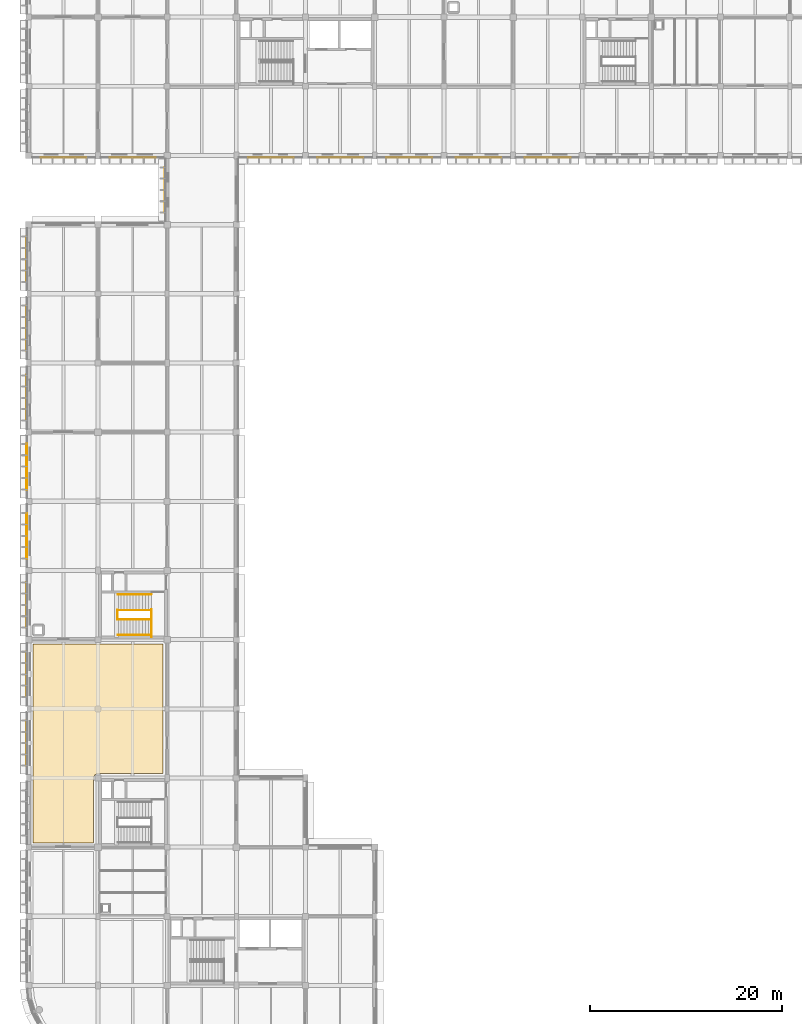
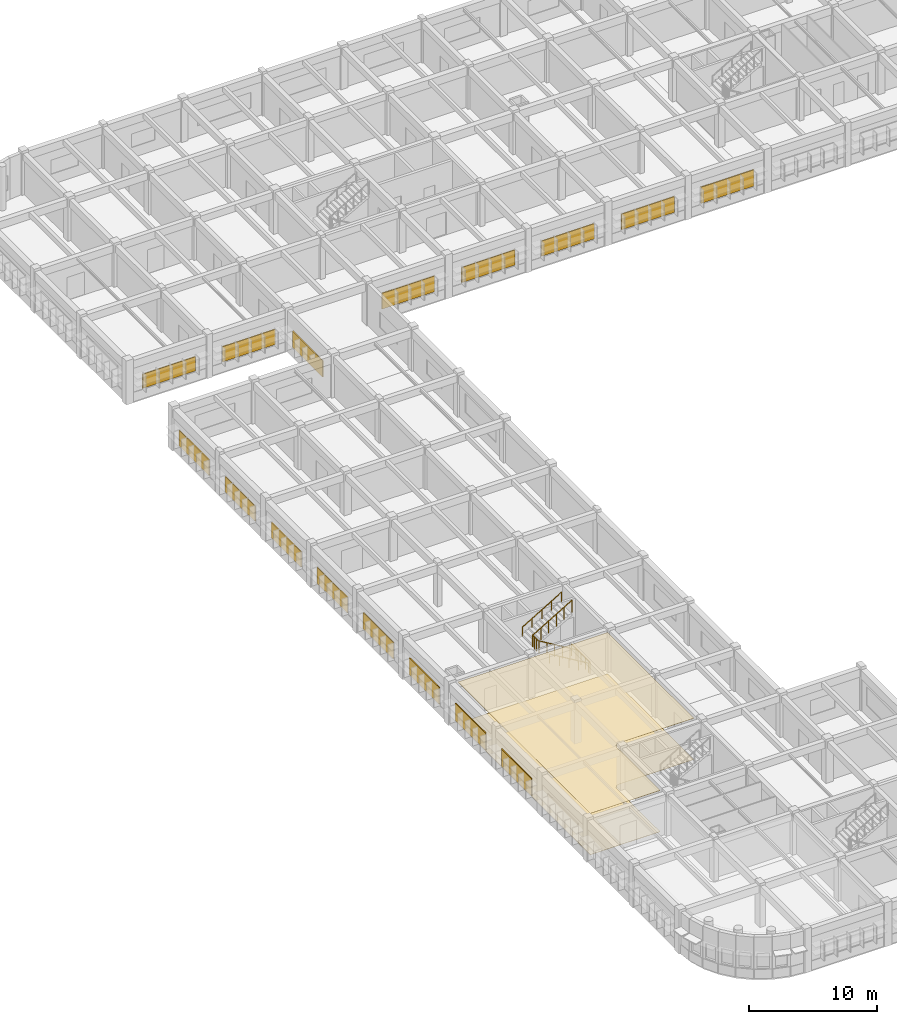
# One storey, part 34 of 38: 16 shading devices, 6 railings, 2 coverings.
"""IFC4 building model written with IfcOpenShell, lengths in metres."""

from ifc_helpers import new_model, si_unit, direction, frame, origin, origin_2d, place, context, subcontext, project, spatial, polyline, rectangle, circle, outline, extrude, material, layer, layer_set, type_object, element, save


model = new_model("IFC4")

# Units and contexts
model_context = context("Model", 3, precision=1e-05, world=origin(), true_north=direction((0.0, 1.0)))
body_context = subcontext(model_context, "Body", "Model", "MODEL_VIEW")
ifc_project = project(units=[si_unit("LENGTHUNIT", "METRE"), si_unit("AREAUNIT", "SQUARE_METRE"), si_unit("VOLUMEUNIT", "CUBIC_METRE"), si_unit("PLANEANGLEUNIT", "RADIAN"), si_unit("MASSUNIT", "GRAM", prefix="KILO")], contexts=[model_context])

# Site, building, storey
site_placement = place(None, origin())
site = spatial("IfcSite", under=ifc_project, at=site_placement, CompositionType="ELEMENT")
building_placement = place(site_placement, origin())
building = spatial("IfcBuilding", under=site, at=building_placement, Name="Thalmaran Polytechnic", CompositionType="ELEMENT")
storey_placement = place(building_placement, frame((0.0, 0.0, 18.60009765625)))
storey = spatial("IfcBuildingStorey", under=building, at=storey_placement, Name="L04", CompositionType="ELEMENT", Elevation=18.60009765625)

# Coverings
ifc_material_1 = material(Name="Acoustic mineral fibre ceiling")
ifc_layer_1 = layer(ifc_material_1, 0.02490234375, Name="Acoustic mineral fibre ceiling")
ifc_layer_set_1 = layer_set([ifc_layer_1], Name="Acoustic mineral fibre ceiling")
covering_type_1 = type_object("IfcCoveringType", Name="CV-CL01", PredefinedType="CEILING", material=ifc_layer_set_1)
covering_1_placement = place(storey_placement, frame((0.0, 0.0, 3.929931640625)))
element("IfcCovering", 1, at=covering_1_placement, inside=storey, type_object=covering_type_1, Name="Structural Models Design Studio L04-02 Acoustic Ceiling", PredefinedType="CEILING", context=body_context, shape_type="SweptSolid", body=[
    extrude(outline(polyline([(0.449951171875, 22.050048828125), (0.449951171875, 42.75), (13.949951171875, 42.75), (13.949951171875, 29.25), (7.199951171875, 29.25), (7.156005859375, 29.247802734375), (7.1123046875, 29.241455078125), (7.0693359375, 29.230712890625), (7.02783203125, 29.2158203125), (6.98779296875, 29.19677734375), (6.949951171875, 29.174072265625), (6.91455078125, 29.14794921875), (6.8818359375, 29.1181640625), (6.85205078125, 29.08544921875), (6.825927734375, 29.050048828125), (6.80322265625, 29.01220703125), (6.7841796875, 28.97216796875), (6.769287109375, 28.9306640625), (6.758544921875, 28.8876953125), (6.752197265625, 28.843994140625), (6.75, 28.800048828125), (6.75, 22.050048828125), (0.449951171875, 22.050048828125)])), origin(), (0.0, 0.0, 1.0), 0.02490234375),
])
ifc_material_2 = material(Name="Polished terrazzo and epoxy lab flooring")
ifc_layer_2 = layer(ifc_material_2, 0.02001953125, Name="Polished terrazzo and epoxy lab flooring")
ifc_layer_set_2 = layer_set([ifc_layer_2], Name="Polished terrazzo and epoxy lab flooring")
covering_type_2 = type_object("IfcCoveringType", Name="CV-FL01", PredefinedType="FLOORING", material=ifc_layer_set_2)
covering_2_placement = place(storey_placement, origin())
element("IfcCovering", 2, at=covering_2_placement, inside=storey, type_object=covering_type_2, Name="Structural Models Design Studio L04-02 Specialist Finish Flooring", PredefinedType="FLOORING", context=body_context, shape_type="SweptSolid", body=[
    extrude(outline(polyline([(0.449951171875, 22.050048828125), (0.449951171875, 42.75), (13.949951171875, 42.75), (13.949951171875, 29.25), (7.199951171875, 29.25), (7.156005859375, 29.247802734375), (7.1123046875, 29.241455078125), (7.0693359375, 29.230712890625), (7.02783203125, 29.2158203125), (6.98779296875, 29.19677734375), (6.949951171875, 29.174072265625), (6.91455078125, 29.14794921875), (6.8818359375, 29.1181640625), (6.85205078125, 29.08544921875), (6.825927734375, 29.050048828125), (6.80322265625, 29.01220703125), (6.7841796875, 28.97216796875), (6.769287109375, 28.9306640625), (6.758544921875, 28.8876953125), (6.752197265625, 28.843994140625), (6.75, 28.800048828125), (6.75, 22.050048828125), (0.449951171875, 22.050048828125)])), origin(), (0.0, 0.0, 1.0), 0.02001953125),
])

# Railings
ifc_material_3 = material(Name="Stainless steel 316", Category="steel")
railing_type_1 = type_object("IfcRailingType", Name="RL-GR01", PredefinedType="GUARDRAIL", material=ifc_material_3)
railing_1_placement = place(storey_placement, frame((12.77001953125, 43.449951171875, 0.0)))
element("IfcRailing", 3, at=railing_1_placement, inside=storey, type_object=railing_type_1, Name="ST4 L04 Landing Edge Guardrail", PredefinedType="GUARDRAIL", context=body_context, shape_type="SweptSolid", body=[
    extrude(circle(Radius=0.02392578125, at=origin_2d()), frame((0.0, 0.0, 1.1259765625), z_axis=(0.0, 1.0, 0.0), x_axis=(-1.0, 0.0, 0.0)), (0.0, 0.0, 1.0), 2.8701171875),
    extrude(circle(Radius=0.02099609375, at=origin_2d()), origin(), (0.0, 0.0, 1.0), 1.101806640625),
    extrude(circle(Radius=0.02099609375, at=origin_2d()), frame((0.0, 0.717529296875, 0.0)), (0.0, 0.0, 1.0), 1.101806640625),
    extrude(circle(Radius=0.02099609375, at=origin_2d()), frame((0.0, 1.43505859375, 0.0)), (0.0, 0.0, 1.0), 1.101806640625),
    extrude(circle(Radius=0.02099609375, at=origin_2d()), frame((0.0, 2.152587890625, 0.0)), (0.0, 0.0, 1.0), 1.101806640625),
    extrude(circle(Radius=0.02099609375, at=origin_2d()), frame((0.0, 2.8701171875, 0.0)), (0.0, 0.0, 1.0), 1.101806640625),
])
railing_2_placement = place(storey_placement, frame((12.760009765625, 45.320068359375, 0.0)))
element("IfcRailing", 4, at=railing_2_placement, inside=storey, type_object=railing_type_1, Name="ST4 L04 Lower Flight Guardrail", PredefinedType="GUARDRAIL", context=body_context, shape_type="SweptSolid", body=[
    extrude(circle(Radius=0.02392578125, at=origin_2d()), frame((0.0, 0.0, 1.1259765625), z_axis=(-0.857508758706, 0.0, 0.514469366185), x_axis=(0.0, -1.0, 0.0)), (0.0, 0.0, 1.0), 4.08154296875),
    extrude(circle(Radius=0.02099609375, at=origin_2d()), origin(), (0.0, 0.0, 1.0), 1.101806640625),
    extrude(circle(Radius=0.02099609375, at=origin_2d()), frame((-0.699951171875, 0.0, 0.419921875)), (0.0, 0.0, 1.0), 1.101806640625),
    extrude(circle(Radius=0.02099609375, at=origin_2d()), frame((-1.39990234375, 0.0, 0.83984375)), (0.0, 0.0, 1.0), 1.101806640625),
    extrude(circle(Radius=0.02099609375, at=origin_2d()), frame((-2.10009765625, 0.0, 1.260009765625)), (0.0, 0.0, 1.0), 1.101806640625),
    extrude(circle(Radius=0.02099609375, at=origin_2d()), frame((-2.800048828125, 0.0, 1.679931640625)), (0.0, 0.0, 1.0), 1.101806640625),
    extrude(circle(Radius=0.02099609375, at=origin_2d()), frame((-3.5, 0.0, 2.099853515625)), (0.0, 0.0, 1.0), 1.101806640625),
])
railing_3_placement = place(storey_placement, frame((9.219970703125, 45.300048828125, 2.099853515625)))
element("IfcRailing", 5, at=railing_3_placement, inside=storey, type_object=railing_type_1, Name="ST4 L04 Half-Landing Well Guardrail", PredefinedType="GUARDRAIL", context=body_context, shape_type="SweptSolid", body=[
    extrude(circle(Radius=0.02392578125, at=origin_2d()), frame((0.0, 0.0, 1.1259765625), z_axis=(0.0, 1.0, 0.0), x_axis=(-1.0, 0.0, 0.0)), (0.0, 0.0, 1.0), 0.97998046875),
    extrude(circle(Radius=0.02099609375, at=origin_2d()), origin(), (0.0, 0.0, 1.0), 1.101806640625),
    extrude(circle(Radius=0.02099609375, at=origin_2d()), frame((0.0, 0.32666015625, 0.0)), (0.0, 0.0, 1.0), 1.101806640625),
    extrude(circle(Radius=0.02099609375, at=origin_2d()), frame((0.0, 0.6533203125, 0.0)), (0.0, 0.0, 1.0), 1.101806640625),
    extrude(circle(Radius=0.02099609375, at=origin_2d()), frame((0.0, 0.97998046875, 0.0)), (0.0, 0.0, 1.0), 1.101806640625),
])
railing_4_placement = place(storey_placement, frame((9.260009765625, 46.260009765625, 2.099853515625)))
element("IfcRailing", 6, at=railing_4_placement, inside=storey, type_object=railing_type_1, Name="ST4 L04 Upper Flight Guardrail", PredefinedType="GUARDRAIL", context=body_context, shape_type="SweptSolid", body=[
    extrude(circle(Radius=0.02392578125, at=origin_2d()), frame((0.0, 0.0, 1.1259765625), z_axis=(0.857482370257, 0.0, 0.514513347444), x_axis=(0.0, 1.0, 0.0)), (0.0, 0.0, 1.0), 4.081787109375),
    extrude(circle(Radius=0.02099609375, at=origin_2d()), origin(), (0.0, 0.0, 1.0), 1.101806640625),
    extrude(circle(Radius=0.02099609375, at=origin_2d()), frame((0.699951171875, 0.0, 0.419921875)), (0.0, 0.0, 1.0), 1.101806640625),
    extrude(circle(Radius=0.02099609375, at=origin_2d()), frame((1.39990234375, 0.0, 0.840087890625)), (0.0, 0.0, 1.0), 1.101806640625),
    extrude(circle(Radius=0.02099609375, at=origin_2d()), frame((2.10009765625, 0.0, 1.260009765625)), (0.0, 0.0, 1.0), 1.101806640625),
    extrude(circle(Radius=0.02099609375, at=origin_2d()), frame((2.800048828125, 0.0, 1.68017578125)), (0.0, 0.0, 1.0), 1.101806640625),
    extrude(circle(Radius=0.02099609375, at=origin_2d()), frame((3.5, 0.0, 2.10009765625)), (0.0, 0.0, 1.0), 1.101806640625),
])
railing_type_2 = type_object("IfcRailingType", Name="RL-HR01", PredefinedType="HANDRAIL", material=ifc_material_3)
railing_5_placement = place(storey_placement, frame((12.760009765625, 43.679931640625, 0.0)))
element("IfcRailing", 7, at=railing_5_placement, inside=storey, type_object=railing_type_2, Name="ST4 L04 Flight 1 Handrail", PredefinedType="HANDRAIL", context=body_context, shape_type="SweptSolid", body=[
    extrude(circle(Radius=0.02392578125, at=origin_2d()), frame((0.0, 0.0, 0.8759765625), z_axis=(-0.857508758706, 0.0, 0.514469366185), x_axis=(0.0, -1.0, 0.0)), (0.0, 0.0, 1.0), 4.08154296875),
    extrude(circle(Radius=0.02099609375, at=origin_2d()), origin(), (0.0, 0.0, 1.0), 0.851806640625),
    extrude(circle(Radius=0.02099609375, at=origin_2d()), frame((-0.875, 0.0, 0.52490234375)), (0.0, 0.0, 1.0), 0.851806640625),
    extrude(circle(Radius=0.02099609375, at=origin_2d()), frame((-1.75, 0.0, 1.0498046875)), (0.0, 0.0, 1.0), 0.851806640625),
    extrude(circle(Radius=0.02099609375, at=origin_2d()), frame((-2.625, 0.0, 1.574951171875)), (0.0, 0.0, 1.0), 0.851806640625),
    extrude(circle(Radius=0.02099609375, at=origin_2d()), frame((-3.5, 0.0, 2.099853515625)), (0.0, 0.0, 1.0), 0.851806640625),
])
railing_6_placement = place(storey_placement, frame((9.260009765625, 47.919921875, 2.099853515625)))
element("IfcRailing", 8, at=railing_6_placement, inside=storey, type_object=railing_type_2, Name="ST4 L04 Flight 2 Handrail", PredefinedType="HANDRAIL", context=body_context, shape_type="SweptSolid", body=[
    extrude(circle(Radius=0.02392578125, at=origin_2d()), frame((0.0, 0.0, 0.8759765625), z_axis=(0.857482370257, 0.0, 0.514513347444), x_axis=(0.0, 1.0, 0.0)), (0.0, 0.0, 1.0), 4.081787109375),
    extrude(circle(Radius=0.02099609375, at=origin_2d()), origin(), (0.0, 0.0, 1.0), 0.851806640625),
    extrude(circle(Radius=0.02099609375, at=origin_2d()), frame((0.875, 0.0, 0.52490234375)), (0.0, 0.0, 1.0), 0.851806640625),
    extrude(circle(Radius=0.02099609375, at=origin_2d()), frame((1.75, 0.0, 1.050048828125)), (0.0, 0.0, 1.0), 0.851806640625),
    extrude(circle(Radius=0.02099609375, at=origin_2d()), frame((2.625, 0.0, 1.5751953125)), (0.0, 0.0, 1.0), 0.851806640625),
    extrude(circle(Radius=0.02099609375, at=origin_2d()), frame((3.5, 0.0, 2.10009765625)), (0.0, 0.0, 1.0), 0.851806640625),
])

# Shading devices
ifc_material_4 = material(Name="Perforated anodised-bronze aluminium screen", Category="aluminium")
ifc_layer_3 = layer(ifc_material_4, 0.080078125, Name="Perforated anodised-bronze aluminium screen")
ifc_layer_set_3 = layer_set([ifc_layer_3], Name="Perforated anodised-bronze aluminium screen")
shading_device_type = type_object("IfcShadingDeviceType", Name="SH-JL01", PredefinedType="JALOUSIE", material=ifc_layer_set_3)
shading_device_1_placement = place(storey_placement, frame((-0.219970703125, 32.39990234375, 1.02490234375), z_axis=(0.0, 0.0, 1.0), x_axis=(0.0, 1.0, 0.0)))
element("IfcShadingDevice", 9, at=shading_device_1_placement, inside=storey, type_object=shading_device_type, Name="Anodised-Bronze Mashrabiya Solar Screen L04-029", PredefinedType="JALOUSIE", context=body_context, shape_type="SweptSolid", body=[
    extrude(rectangle(XDim=4.68359375, YDim=0.080078125, at=origin_2d()), origin(), (0.0, 0.0, 1.0), 1.64990234375),
])
shading_device_2_placement = place(storey_placement, frame((-0.219970703125, 39.60009765625, 1.02490234375), z_axis=(0.0, 0.0, 1.0), x_axis=(0.0, 1.0, 0.0)))
element("IfcShadingDevice", 10, at=shading_device_2_placement, inside=storey, type_object=shading_device_type, Name="Anodised-Bronze Mashrabiya Solar Screen L04-030", PredefinedType="JALOUSIE", context=body_context, shape_type="SweptSolid", body=[
    extrude(rectangle(XDim=4.708740234375, YDim=0.080078125, at=origin_2d()), origin(), (0.0, 0.0, 1.0), 1.64990234375),
])
shading_device_3_placement = place(storey_placement, frame((-0.219970703125, 46.800048828125, 1.02490234375), z_axis=(0.0, 0.0, 1.0), x_axis=(0.0, 1.0, 0.0)))
element("IfcShadingDevice", 11, at=shading_device_3_placement, inside=storey, type_object=shading_device_type, Name="Anodised-Bronze Mashrabiya Solar Screen L04-031", PredefinedType="JALOUSIE", context=body_context, shape_type="SweptSolid", body=[
    extrude(rectangle(XDim=4.705078125, YDim=0.080078125, at=origin_2d()), origin(), (0.0, 0.0, 1.0), 1.60009765625),
])
shading_device_4_placement = place(storey_placement, frame((-0.219970703125, 54.0, 1.02490234375), z_axis=(0.0, 0.0, 1.0), x_axis=(0.0, 1.0, 0.0)))
element("IfcShadingDevice", 12, at=shading_device_4_placement, inside=storey, type_object=shading_device_type, Name="Anodised-Bronze Mashrabiya Solar Screen L04-032", PredefinedType="JALOUSIE", context=body_context, shape_type="SweptSolid", body=[
    extrude(rectangle(XDim=4.726806640625, YDim=0.080078125, at=origin_2d()), origin(), (0.0, 0.0, 1.0), 1.550048828125),
])
shading_device_5_placement = place(storey_placement, frame((-0.219970703125, 61.199951171875, 1.02490234375), z_axis=(0.0, 0.0, 1.0), x_axis=(0.0, 1.0, 0.0)))
element("IfcShadingDevice", 13, at=shading_device_5_placement, inside=storey, type_object=shading_device_type, Name="Anodised-Bronze Mashrabiya Solar Screen L04-033", PredefinedType="JALOUSIE", context=body_context, shape_type="SweptSolid", body=[
    extrude(rectangle(XDim=4.744873046875, YDim=0.080078125, at=origin_2d()), origin(), (0.0, 0.0, 1.0), 1.5),
])
shading_device_6_placement = place(storey_placement, frame((-0.219970703125, 68.39990234375, 1.02490234375), z_axis=(0.0, 0.0, 1.0), x_axis=(0.0, 1.0, 0.0)))
element("IfcShadingDevice", 14, at=shading_device_6_placement, inside=storey, type_object=shading_device_type, Name="Anodised-Bronze Mashrabiya Solar Screen L04-034", PredefinedType="JALOUSIE", context=body_context, shape_type="SweptSolid", body=[
    extrude(rectangle(XDim=4.697998046875, YDim=0.080078125, at=origin_2d()), origin(), (0.0, 0.0, 1.0), 1.449951171875),
])
shading_device_7_placement = place(storey_placement, frame((-0.219970703125, 75.60009765625, 1.02490234375), z_axis=(0.0, 0.0, 1.0), x_axis=(0.0, 1.0, 0.0)))
element("IfcShadingDevice", 15, at=shading_device_7_placement, inside=storey, type_object=shading_device_type, Name="Anodised-Bronze Mashrabiya Solar Screen L04-035", PredefinedType="JALOUSIE", context=body_context, shape_type="SweptSolid", body=[
    extrude(rectangle(XDim=4.68359375, YDim=0.080078125, at=origin_2d()), origin(), (0.0, 0.0, 1.0), 1.449951171875),
])
shading_device_8_placement = place(storey_placement, frame((-0.219970703125, 82.800048828125, 1.02490234375), z_axis=(0.0, 0.0, 1.0), x_axis=(0.0, 1.0, 0.0)))
element("IfcShadingDevice", 16, at=shading_device_8_placement, inside=storey, type_object=shading_device_type, Name="Anodised-Bronze Mashrabiya Solar Screen L04-036", PredefinedType="JALOUSIE", context=body_context, shape_type="SweptSolid", body=[
    extrude(rectangle(XDim=4.708740234375, YDim=0.080078125, at=origin_2d()), origin(), (0.0, 0.0, 1.0), 1.5),
])
shading_device_9_placement = place(storey_placement, frame((14.179931640625, 90.0, 1.02490234375), z_axis=(0.0, 0.0, 1.0), x_axis=(0.0, 1.0, 0.0)))
element("IfcShadingDevice", 17, at=shading_device_9_placement, inside=storey, type_object=shading_device_type, Name="Anodised-Bronze Mashrabiya Solar Screen L04-039", PredefinedType="JALOUSIE", context=body_context, shape_type="SweptSolid", body=[
    extrude(rectangle(XDim=4.705078125, YDim=0.080078125, at=origin_2d()), origin(), (0.0, 0.0, 1.0), 1.550048828125),
])
shading_device_10_placement = place(storey_placement, frame((10.800048828125, 93.3798828125, 1.02490234375), z_axis=(0.0, 0.0, 1.0), x_axis=(-1.0, 0.0, 0.0)))
element("IfcShadingDevice", 18, at=shading_device_10_placement, inside=storey, type_object=shading_device_type, Name="Anodised-Bronze Mashrabiya Solar Screen L04-040", PredefinedType="JALOUSIE", context=body_context, shape_type="SweptSolid", body=[
    extrude(rectangle(XDim=4.77001953125, YDim=0.080078125, at=origin_2d()), origin(), (0.0, 0.0, 1.0), 1.449951171875),
])
shading_device_11_placement = place(storey_placement, frame((3.60009765625, 93.3798828125, 1.02490234375), z_axis=(0.0, 0.0, 1.0), x_axis=(-1.0, 0.0, 0.0)))
element("IfcShadingDevice", 19, at=shading_device_11_placement, inside=storey, type_object=shading_device_type, Name="Anodised-Bronze Mashrabiya Solar Screen L04-041", PredefinedType="JALOUSIE", context=body_context, shape_type="SweptSolid", body=[
    extrude(rectangle(XDim=4.77001953125, YDim=0.080078125, at=origin_2d()), origin(), (0.0, 0.0, 1.0), 1.35009765625),
])
shading_device_12_placement = place(storey_placement, frame((54.0, 93.3798828125, 1.02490234375), z_axis=(0.0, 0.0, 1.0), x_axis=(-1.0, 0.0, 0.0)))
element("IfcShadingDevice", 20, at=shading_device_12_placement, inside=storey, type_object=shading_device_type, Name="Anodised-Bronze Mashrabiya Solar Screen L04-074", PredefinedType="JALOUSIE", context=body_context, shape_type="SweptSolid", body=[
    extrude(rectangle(XDim=4.77001953125, YDim=0.080078125, at=origin_2d()), origin(), (0.0, 0.0, 1.0), 1.550048828125),
])
shading_device_13_placement = place(storey_placement, frame((46.800048828125, 93.3798828125, 1.02490234375), z_axis=(0.0, 0.0, 1.0), x_axis=(-1.0, 0.0, 0.0)))
element("IfcShadingDevice", 21, at=shading_device_13_placement, inside=storey, type_object=shading_device_type, Name="Anodised-Bronze Mashrabiya Solar Screen L04-075", PredefinedType="JALOUSIE", context=body_context, shape_type="SweptSolid", body=[
    extrude(rectangle(XDim=4.77001953125, YDim=0.080078125, at=origin_2d()), origin(), (0.0, 0.0, 1.0), 1.5),
])
for number, where, z_axis, x_axis, name in (
    (22, (39.60009765625, 93.3798828125, 1.02490234375), (0.0, 0.0, 1.0), (-1.0, 0.0, 0.0), "Anodised-Bronze Mashrabiya Solar Screen L04-076"),
    (23, (32.39990234375, 93.3798828125, 1.02490234375), (0.0, 0.0, 1.0), (-1.0, 0.0, 0.0), "Anodised-Bronze Mashrabiya Solar Screen L04-077"),
):
    element("IfcShadingDevice", number, at=place(storey_placement, frame(where, z_axis=z_axis, x_axis=x_axis)), inside=storey, type_object=shading_device_type, Name=name, PredefinedType="JALOUSIE", context=body_context, shape_type="SweptSolid", body=[
        extrude(rectangle(XDim=4.77001953125, YDim=0.080078125, at=origin_2d()), origin(), (0.0, 0.0, 1.0), 1.449951171875),
    ])
shading_device_14_placement = place(storey_placement, frame((25.199951171875, 93.3798828125, 1.02490234375), z_axis=(0.0, 0.0, 1.0), x_axis=(-1.0, 0.0, 0.0)))
element("IfcShadingDevice", 24, at=shading_device_14_placement, inside=storey, type_object=shading_device_type, Name="Anodised-Bronze Mashrabiya Solar Screen L04-078", PredefinedType="JALOUSIE", context=body_context, shape_type="SweptSolid", body=[
    extrude(rectangle(XDim=4.77001953125, YDim=0.080078125, at=origin_2d()), origin(), (0.0, 0.0, 1.0), 1.5),
])

save(model, "model.ifc")
